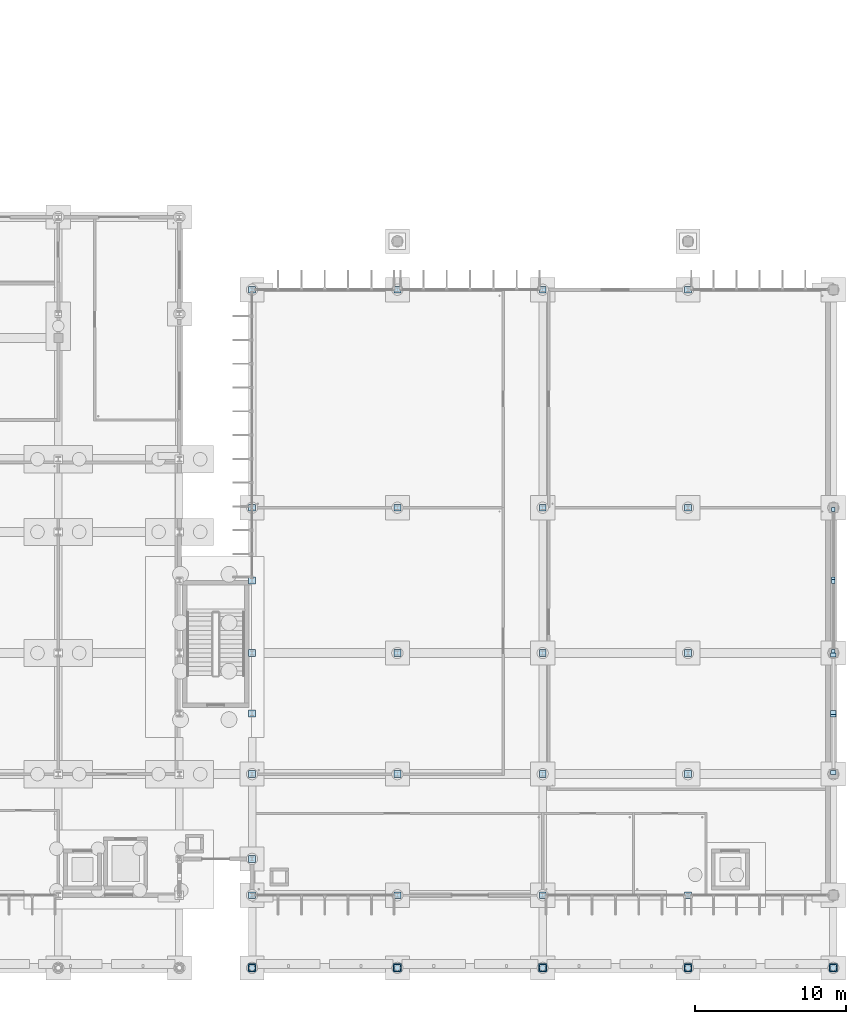
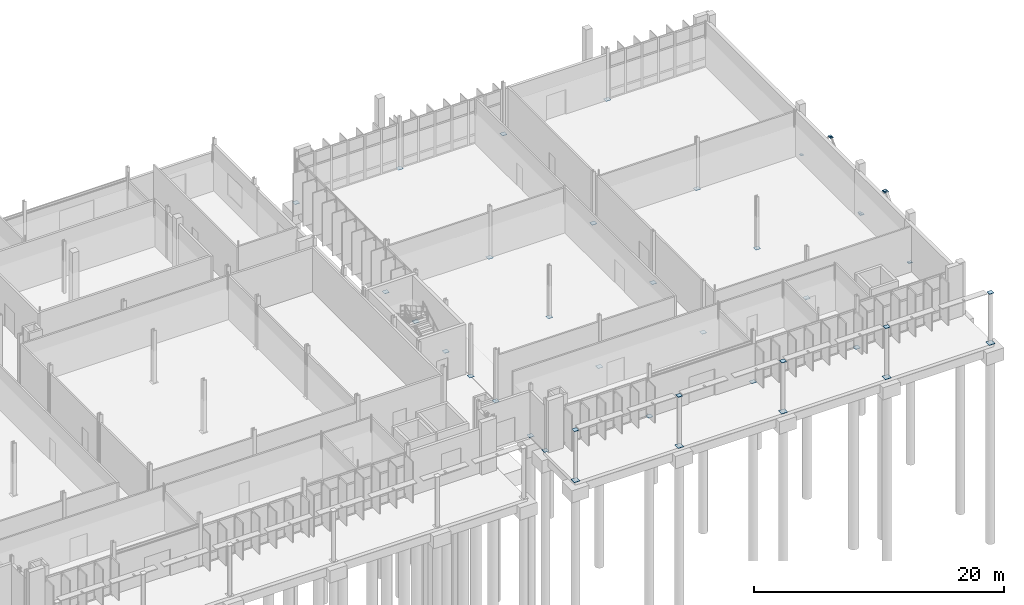
# One storey, part 57 of 111: 41 plates.
"""IFC4 building model written with IfcOpenShell, lengths in metres."""

from ifc_helpers import new_model, si_unit, direction, frame, origin, origin_2d, place, context, subcontext, project, spatial, rectangle, extrude, material, layer, layer_set, type_object, element, save


model = new_model("IFC4")

# Units and contexts
model_context = context("Model", 3, precision=1e-05, world=origin(), true_north=direction((0.0, 1.0)))
body_context = subcontext(model_context, "Body", "Model", "MODEL_VIEW")
ifc_project = project(units=[si_unit("LENGTHUNIT", "METRE"), si_unit("AREAUNIT", "SQUARE_METRE"), si_unit("VOLUMEUNIT", "CUBIC_METRE"), si_unit("PLANEANGLEUNIT", "RADIAN"), si_unit("MASSUNIT", "GRAM", prefix="KILO")], contexts=[model_context])

# Site, building, storey
site_placement = place(None, origin())
site = spatial("IfcSite", under=ifc_project, at=site_placement, CompositionType="ELEMENT")
building_placement = place(site_placement, origin())
building = spatial("IfcBuilding", under=site, at=building_placement, Name="Dunescarp Central Library", CompositionType="ELEMENT")
storey_placement = place(building_placement, origin())
storey = spatial("IfcBuildingStorey", under=building, at=storey_placement, Name="L00", CompositionType="ELEMENT", Elevation=0.0)

# Plates
ifc_material = material(Name="Steel S355J0", Category="steel")
ifc_layer_1 = layer(ifc_material, 0.031982421875)
ifc_layer_set_1 = layer_set([ifc_layer_1], Name="Steel S355J0")
plate_type_1 = type_object("IfcPlateType", Name="STR-PLT-BP02", PredefinedType="USERDEFINED", material=ifc_layer_set_1)
for number, where, z_axis, x_axis, name in (
    (1, (129.60009765625, 0.0, -0.03076171875), (0.0, 0.0, 1.0), (1.0, 0.0, 0.0), "Column base plate BPL-187"),
    (2, (139.199951171875, 0.0, -0.03076171875), (0.0, 0.0, 1.0), (1.0, 0.0, 0.0), "Column base plate BPL-188"),
    (3, (148.800048828125, 0.0, -0.03076171875), (0.0, 0.0, 1.0), (1.0, 0.0, 0.0), "Column base plate BPL-189"),
    (4, (158.39990234375, 0.0, -0.03076171875), (0.0, 0.0, 1.0), (1.0, 0.0, 0.0), "Column base plate BPL-190"),
    (5, (168.0, 0.0, -0.03076171875), (0.0, 0.0, 1.0), (1.0, 0.0, 0.0), "Column base plate BPL-191"),
):
    element("IfcPlate", number, at=place(storey_placement, frame(where, z_axis=z_axis, x_axis=x_axis)), inside=storey, type_object=plate_type_1, Name=name, ObjectType="BASE_PLATE", PredefinedType="USERDEFINED", context=body_context, shape_type="SweptSolid", body=[
        extrude(rectangle(XDim=0.550048828125, YDim=0.550048828125, at=origin_2d()), origin(), (0.0, 0.0, 1.0), 0.031982421875),
    ])
ifc_layer_2 = layer(ifc_material, 0.028076171875)
ifc_layer_set_2 = layer_set([ifc_layer_2], Name="Steel S355J0")
plate_type_2 = type_object("IfcPlateType", Name="STR-PLT-BP03", PredefinedType="USERDEFINED", material=ifc_layer_set_2)
for number, where, z_axis, x_axis, name in (
    (6, (129.60009765625, 4.800048828125, -0.02880859375), (0.0, 0.0, 1.0), (1.0, 0.0, 0.0), "Column base plate BPL-145"),
    (7, (129.60009765625, 12.800048828125, -0.02880859375), (0.0, 0.0, 1.0), (1.0, 0.0, 0.0), "Column base plate BPL-146"),
    (8, (129.60009765625, 20.800048828125, -0.02880859375), (0.0, 0.0, 1.0), (1.0, 0.0, 0.0), "Column base plate BPL-147"),
    (9, (129.60009765625, 30.39990234375, -0.02880859375), (0.0, 0.0, 1.0), (1.0, 0.0, 0.0), "Column base plate BPL-148"),
    (10, (129.60009765625, 44.800048828125, -0.02880859375), (0.0, 0.0, 1.0), (1.0, 0.0, 0.0), "Column base plate BPL-149"),
    (11, (139.199951171875, 4.800048828125, -0.02880859375), (0.0, 0.0, 1.0), (1.0, 0.0, 0.0), "Column base plate BPL-150"),
    (12, (139.199951171875, 12.800048828125, -0.02880859375), (0.0, 0.0, 1.0), (1.0, 0.0, 0.0), "Column base plate BPL-151"),
    (13, (139.199951171875, 20.800048828125, -0.02880859375), (0.0, 0.0, 1.0), (1.0, 0.0, 0.0), "Column base plate BPL-152"),
    (14, (139.199951171875, 30.39990234375, -0.02880859375), (0.0, 0.0, 1.0), (1.0, 0.0, 0.0), "Column base plate BPL-153"),
    (15, (139.199951171875, 44.800048828125, -0.02880859375), (0.0, 0.0, 1.0), (1.0, 0.0, 0.0), "Column base plate BPL-154"),
    (16, (148.800048828125, 4.800048828125, -0.02880859375), (0.0, 0.0, 1.0), (1.0, 0.0, 0.0), "Column base plate BPL-155"),
    (17, (148.800048828125, 12.800048828125, -0.02880859375), (0.0, 0.0, 1.0), (1.0, 0.0, 0.0), "Column base plate BPL-156"),
    (18, (148.800048828125, 20.800048828125, -0.02880859375), (0.0, 0.0, 1.0), (1.0, 0.0, 0.0), "Column base plate BPL-157"),
    (19, (148.800048828125, 30.39990234375, -0.02880859375), (0.0, 0.0, 1.0), (1.0, 0.0, 0.0), "Column base plate BPL-158"),
    (20, (148.800048828125, 44.800048828125, -0.02880859375), (0.0, 0.0, 1.0), (1.0, 0.0, 0.0), "Column base plate BPL-159"),
    (21, (158.39990234375, 4.800048828125, -0.02880859375), (0.0, 0.0, 1.0), (1.0, 0.0, 0.0), "Column base plate BPL-160"),
    (22, (158.39990234375, 12.800048828125, -0.02880859375), (0.0, 0.0, 1.0), (1.0, 0.0, 0.0), "Column base plate BPL-161"),
    (23, (158.39990234375, 20.800048828125, -0.02880859375), (0.0, 0.0, 1.0), (1.0, 0.0, 0.0), "Column base plate BPL-162"),
    (24, (158.39990234375, 30.39990234375, -0.02880859375), (0.0, 0.0, 1.0), (1.0, 0.0, 0.0), "Column base plate BPL-163"),
    (25, (158.39990234375, 44.800048828125, -0.02880859375), (0.0, 0.0, 1.0), (1.0, 0.0, 0.0), "Column base plate BPL-164"),
    (26, (129.60009765625, 7.199951171875, -0.02880859375), (0.0, 0.0, 1.0), (1.0, 0.0, 0.0), "Column base plate BPL-165"),
    (27, (129.60009765625, 16.800048828125, -0.02880859375), (0.0, 0.0, 1.0), (1.0, 0.0, 0.0), "Column base plate BPL-166"),
    (28, (129.60009765625, 25.60009765625, -0.02880859375), (0.0, 0.0, 1.0), (1.0, 0.0, 0.0), "Column base plate BPL-167"),
):
    element("IfcPlate", number, at=place(storey_placement, frame(where, z_axis=z_axis, x_axis=x_axis)), inside=storey, type_object=plate_type_2, Name=name, ObjectType="BASE_PLATE", PredefinedType="USERDEFINED", context=body_context, shape_type="SweptSolid", body=[
        extrude(rectangle(XDim=0.449951171875, YDim=0.449951171875, at=origin_2d()), origin(), (0.0, 0.0, 1.0), 0.028076171875),
    ])
ifc_layer_3 = layer(ifc_material, 0.035888671875)
ifc_layer_set_3 = layer_set([ifc_layer_3], Name="Steel S355J0")
plate_type_3 = type_object("IfcPlateType", Name="STR-PLT-ECP1", PredefinedType="USERDEFINED", material=ifc_layer_set_3)
for number, where, z_axis, x_axis, name in (
    (29, (129.60009765625, 0.0, 4.904296875), (0.0, 0.0, 1.0), (1.0, 0.0, 0.0), "Column top cap plate ECP-C020"),
    (30, (139.199951171875, 0.0, 4.904296875), (0.0, 0.0, 1.0), (1.0, 0.0, 0.0), "Column top cap plate ECP-C021"),
    (31, (148.800048828125, 0.0, 4.904296875), (0.0, 0.0, 1.0), (1.0, 0.0, 0.0), "Column top cap plate ECP-C022"),
    (32, (158.39990234375, 0.0, 4.904296875), (0.0, 0.0, 1.0), (1.0, 0.0, 0.0), "Column top cap plate ECP-C023"),
    (33, (168.0, 0.0, 4.904296875), (0.0, 0.0, 1.0), (1.0, 0.0, 0.0), "Column top cap plate ECP-C024"),
):
    element("IfcPlate", number, at=place(storey_placement, frame(where, z_axis=z_axis, x_axis=x_axis)), inside=storey, type_object=plate_type_3, Name=name, ObjectType="GUSSET_PLATE", PredefinedType="USERDEFINED", context=body_context, shape_type="SweptSolid", body=[
        extrude(rectangle(XDim=0.416015625, YDim=0.416015625, at=origin_2d()), origin(), (0.0, 0.0, 1.0), 0.035888671875),
    ])
ifc_layer_4 = layer(ifc_material, 0.02001953125)
ifc_layer_set_4 = layer_set([ifc_layer_4], Name="Steel S355J0")
plate_type_4 = type_object("IfcPlateType", Name="STR-PLT-GUS1", PredefinedType="USERDEFINED", material=ifc_layer_set_4)
for number, where, z_axis, x_axis, name in (
    (34, (168.0, 12.919921875, 0.02685546875), (0.0, 0.0, 1.0), (1.0, 0.0, 0.0), "Brace foot gusset plate GP-117"),
    (35, (168.0, 20.679931640625, 0.02685546875), (0.0, 0.0, 1.0), (1.0, 0.0, 0.0), "Brace foot gusset plate GP-119"),
):
    element("IfcPlate", number, at=place(storey_placement, frame(where, z_axis=z_axis, x_axis=x_axis)), inside=storey, type_object=plate_type_4, Name=name, ObjectType="GUSSET_PLATE", PredefinedType="USERDEFINED", context=body_context, shape_type="SweptSolid", body=[
        extrude(rectangle(XDim=0.360107421875, YDim=0.260009765625, at=origin_2d()), origin(), (0.0, 0.0, 1.0), 0.035888671875),
    ])
for number, where, z_axis, x_axis, name in (
    (36, (168.0, 20.919921875, 0.02685546875), (0.0, 0.0, 1.0), (1.0, 0.0, 0.0), "Brace foot gusset plate GP-125"),
    (37, (168.0, 30.280029296875, 0.02685546875), (0.0, 0.0, 1.0), (1.0, 0.0, 0.0), "Brace foot gusset plate GP-127"),
):
    element("IfcPlate", number, at=place(storey_placement, frame(where, z_axis=z_axis, x_axis=x_axis)), inside=storey, type_object=plate_type_4, Name=name, ObjectType="GUSSET_PLATE", PredefinedType="USERDEFINED", context=body_context, shape_type="SweptSolid", body=[
        extrude(rectangle(XDim=0.25390625, YDim=0.25390625, at=origin_2d()), origin(), (0.0, 0.0, 1.0), 0.035888671875),
    ])
ifc_layer_5 = layer(ifc_material, 0.01611328125)
ifc_layer_set_5 = layer_set([ifc_layer_5], Name="Steel S355J0")
plate_type_5 = type_object("IfcPlateType", Name="STR-PLT-GUS2", PredefinedType="USERDEFINED", material=ifc_layer_set_5)
for number, where, z_axis, x_axis, name in (
    (38, (168.0, 16.719970703125, 4.6220703125), (0.0, 0.0, 1.0), (1.0, 0.0, 0.0), "Brace apex gusset plate GP-118"),
    (39, (168.0, 16.8798828125, 4.6220703125), (0.0, 0.0, 1.0), (1.0, 0.0, 0.0), "Brace apex gusset plate GP-120"),
):
    element("IfcPlate", number, at=place(storey_placement, frame(where, z_axis=z_axis, x_axis=x_axis)), inside=storey, type_object=plate_type_5, Name=name, ObjectType="GUSSET_PLATE", PredefinedType="USERDEFINED", context=body_context, shape_type="SweptSolid", body=[
        extrude(rectangle(XDim=0.360107421875, YDim=0.260009765625, at=origin_2d()), origin(), (0.0, 0.0, 1.0), 0.035888671875),
    ])
for number, where, z_axis, x_axis, name in (
    (40, (168.0, 25.52001953125, 4.6220703125), (0.0, 0.0, 1.0), (1.0, 0.0, 0.0), "Brace apex gusset plate GP-126"),
    (41, (168.0, 25.679931640625, 4.6220703125), (0.0, 0.0, 1.0), (1.0, 0.0, 0.0), "Brace apex gusset plate GP-128"),
):
    element("IfcPlate", number, at=place(storey_placement, frame(where, z_axis=z_axis, x_axis=x_axis)), inside=storey, type_object=plate_type_5, Name=name, ObjectType="GUSSET_PLATE", PredefinedType="USERDEFINED", context=body_context, shape_type="SweptSolid", body=[
        extrude(rectangle(XDim=0.25390625, YDim=0.25390625, at=origin_2d()), origin(), (0.0, 0.0, 1.0), 0.035888671875),
    ])

save(model, "model.ifc")
